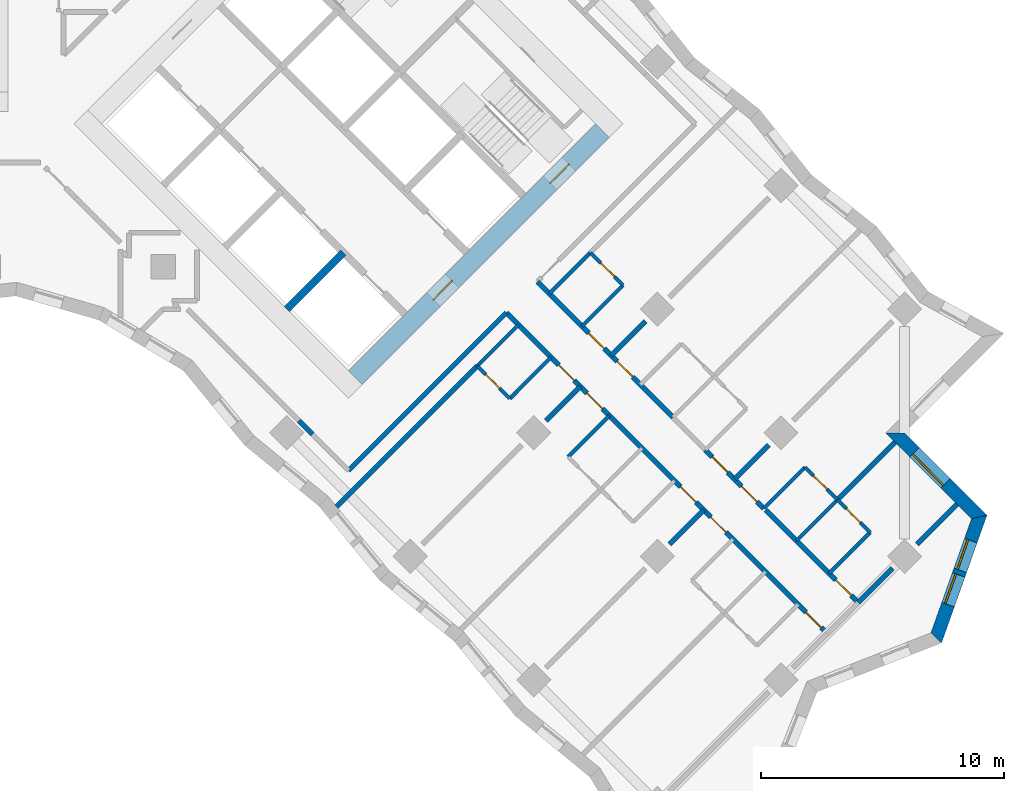
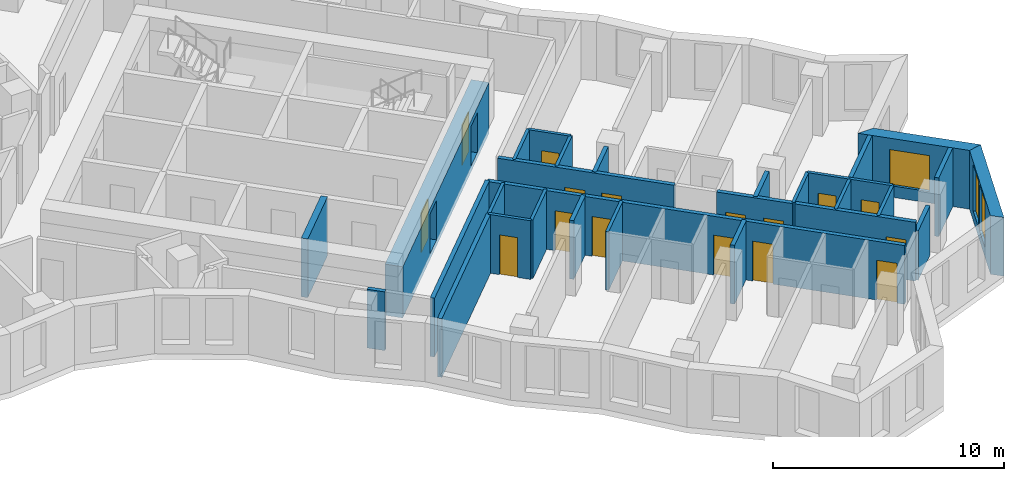
# One storey, part 9 of 13: 30 walls, 16 doors, 3 windows, 19 openings.
"""IFC4 building model written with IfcOpenShell, lengths in metres."""

from ifc_helpers import new_model, si_unit, direction, frame, frame_2d, origin, place, context, subcontext, project, spatial, polyline, rectangle, outline, extrude, material, layer, layer_set, type_object, element, fill, save


model = new_model("IFC4")

# Units and contexts
model_context = context("Model", 3, precision=1e-05, world=origin(), true_north=direction((0.0, 1.0)))
body_context = subcontext(model_context, "Body", "Model", "MODEL_VIEW")
ifc_project = project(units=[si_unit("LENGTHUNIT", "METRE"), si_unit("AREAUNIT", "SQUARE_METRE"), si_unit("VOLUMEUNIT", "CUBIC_METRE"), si_unit("PLANEANGLEUNIT", "RADIAN"), si_unit("MASSUNIT", "GRAM", prefix="KILO")], contexts=[model_context])

# Site, building, storey
site_placement = place(None, origin())
site = spatial("IfcSite", under=ifc_project, at=site_placement, CompositionType="ELEMENT")
building_placement = place(site_placement, origin())
building = spatial("IfcBuilding", under=site, at=building_placement, Name="Windrow Commons", CompositionType="ELEMENT")
storey_placement = place(building_placement, frame((0.0, 0.0, 91.4)))
storey = spatial("IfcBuildingStorey", under=building, at=storey_placement, Name="L24", CompositionType="ELEMENT", Elevation=91.4)

# Wall, openings, windows
ifc_material_1 = material(Name="Brick masonry, red clay brick", Category="masonry")
ifc_layer_1 = layer(ifc_material_1, 0.55)
ifc_layer_set_1 = layer_set([ifc_layer_1], Name="Brick facade wall 550")
wall_type_1 = type_object("IfcWallType", Name="Brick facade wall 550", PredefinedType="SOLIDWALL", material=ifc_layer_set_1)
wall_1_placement = place(storey_placement, frame((111.0517, 27.9115, 0.0), z_axis=(0.0, 0.0, 1.0), x_axis=(0.334975732, 0.9422267556, 0.0)))
wall_1 = element("IfcWall", 1, at=wall_1_placement, inside=storey, type_object=wall_type_1, Name="Brick facade wall L24 4", PredefinedType="SOLIDWALL", context=body_context, shape_type="SweptSolid", body=[
    extrude(outline(polyline([(-0.1253, -0.275), (5.464, -0.275), (5.1165, 0.275), (0.1253, 0.275), (-0.1253, -0.275)])), origin(), (0.0, 0.0, 1.0), 3.1),
])
opening_1_placement = place(wall_1_placement, frame((1.4533, 0.0, 0.5)))
opening_1 = element("IfcOpeningElement", 2, at=opening_1_placement, cuts=wall_1, Name="Opening W1P", PredefinedType="OPENING", context=body_context, shape_type="SweptSolid", body=[
    extrude(rectangle(XDim=1.3, YDim=2.45, at=frame_2d((0.65, 1.225))), frame((0.0, 0.285, 0.0), z_axis=(0.0, -1.0, 0.0), x_axis=(1.0, 0.0, 0.0)), (0.0, 0.0, 1.0), 0.57),
])
opening_2_placement = place(wall_1_placement, frame((2.9533, 0.0, 0.5)))
opening_2 = element("IfcOpeningElement", 3, at=opening_2_placement, cuts=wall_1, Name="Opening W1P", PredefinedType="OPENING", context=body_context, shape_type="SweptSolid", body=[
    extrude(rectangle(XDim=1.3, YDim=2.45, at=frame_2d((0.65, 1.225))), frame((0.0, 0.285, 0.0), z_axis=(0.0, -1.0, 0.0), x_axis=(1.0, 0.0, 0.0)), (0.0, 0.0, 1.0), 0.57),
])
ifc_material_2 = material(Name="Clear float glass in anodised aluminium frame", Category="aluminium")
window_type_1 = type_object("IfcWindowType", Name="Window W1P pair 1300x2450", PartitioningType="SINGLE_PANEL", PredefinedType="WINDOW", material=ifc_material_2)
window_1_placement = place(opening_1_placement, origin())
window_1 = element("IfcWindow", 4, at=window_1_placement, inside=storey, type_object=window_type_1, Name="Window L24 4.1A", OverallHeight=2.45, OverallWidth=1.3, PartitioningType="SINGLE_PANEL", PredefinedType="WINDOW", context=body_context, shape_type="SweptSolid", body=[
    extrude(rectangle(XDim=1.3, YDim=2.45, at=frame_2d((0.65, 1.225))), frame((0.0, 0.155, 0.0), z_axis=(0.0, -1.0, 0.0), x_axis=(1.0, 0.0, 0.0)), (0.0, 0.0, 1.0), 0.06),
])
fill(opening_1, window_1)
window_2_placement = place(opening_2_placement, origin())
window_2 = element("IfcWindow", 5, at=window_2_placement, inside=storey, type_object=window_type_1, Name="Window L24 4.1B", OverallHeight=2.45, OverallWidth=1.3, PartitioningType="SINGLE_PANEL", PredefinedType="WINDOW", context=body_context, shape_type="SweptSolid", body=[
    extrude(rectangle(XDim=1.3, YDim=2.45, at=frame_2d((0.65, 1.225))), frame((0.0, 0.155, 0.0), z_axis=(0.0, -1.0, 0.0), x_axis=(1.0, 0.0, 0.0)), (0.0, 0.0, 1.0), 0.06),
])
fill(opening_2, window_2)

# Wall, opening, window
wall_2_placement = place(storey_placement, frame((112.8238, 32.8961, 0.0), z_axis=(0.0, 0.0, 1.0), x_axis=(-0.7071067812, 0.7071067812, 0.0)))
wall_2 = element("IfcWall", 6, at=wall_2_placement, inside=storey, type_object=wall_type_1, Name="Brick facade wall L24 5", PredefinedType="SOLIDWALL", context=body_context, shape_type="SweptSolid", body=[
    extrude(outline(polyline([(-0.1737, -0.275), (4.6262, -0.275), (5.1762, 0.275), (0.1737, 0.275), (-0.1737, -0.275)])), origin(), (0.0, 0.0, 1.0), 3.1),
])
opening_3_placement = place(wall_2_placement, frame((1.9637, 0.0, 0.6)))
opening_3 = element("IfcOpeningElement", 7, at=opening_3_placement, cuts=wall_2, Name="Opening W1L", PredefinedType="OPENING", context=body_context, shape_type="SweptSolid", body=[
    extrude(rectangle(XDim=1.8, YDim=1.9, at=frame_2d((0.9, 0.95))), frame((0.0, 0.285, 0.0), z_axis=(0.0, -1.0, 0.0), x_axis=(1.0, 0.0, 0.0)), (0.0, 0.0, 1.0), 0.57),
])
ifc_material_3 = material(Name="Clear float glass in anodised aluminium frame", Category="aluminium")
window_type_2 = type_object("IfcWindowType", Name="Window W1L bedroom 1800x1900", PartitioningType="SINGLE_PANEL", PredefinedType="WINDOW", material=ifc_material_3)
window_3_placement = place(opening_3_placement, origin())
window_3 = element("IfcWindow", 8, at=window_3_placement, inside=storey, type_object=window_type_2, Name="Window L24 5.1", OverallHeight=1.9, OverallWidth=1.8, PartitioningType="SINGLE_PANEL", PredefinedType="WINDOW", context=body_context, shape_type="SweptSolid", body=[
    extrude(rectangle(XDim=1.8, YDim=1.9, at=frame_2d((0.9, 0.95))), frame((0.0, 0.155, 0.0), z_axis=(0.0, -1.0, 0.0), x_axis=(1.0, 0.0, 0.0)), (0.0, 0.0, 1.0), 0.06),
])
fill(opening_3, window_3)

# Wall, openings, doors
ifc_material_4 = material(Name="Blockwork partition", Category="masonry")
ifc_layer_2 = layer(ifc_material_4, 0.2)
ifc_layer_set_2 = layer_set([ifc_layer_2], Name="IW-CORRIDOR-200")
wall_type_2 = type_object("IfcWallType", Name="IW-CORRIDOR-200", PredefinedType="PARTITIONING", material=ifc_layer_set_2)
wall_3_placement = place(storey_placement, frame((93.3386, 41.3086, 0.0), z_axis=(0.0, 0.0, 1.0), x_axis=(0.7071067812, -0.7071067812, 0.0)))
wall_3 = element("IfcWall", 9, at=wall_3_placement, inside=storey, type_object=wall_type_2, Name="W-L24-W003", PredefinedType="PARTITIONING", context=body_context, shape_type="SweptSolid", body=[
    extrude(rectangle(XDim=18.7016, YDim=0.2, at=frame_2d((9.3508, 0.0))), origin(), (0.0, 0.0, 1.0), 3.1),
])
opening_4_placement = place(wall_3_placement, frame((3.0504, 0.0, 0.0)))
opening_4 = element("IfcOpeningElement", 10, at=opening_4_placement, cuts=wall_3, Name="Opening D109S", PredefinedType="OPENING", context=body_context, shape_type="SweptSolid", body=[
    extrude(rectangle(XDim=0.9, YDim=2.1, at=frame_2d((0.45, 1.05))), frame((0.0, 0.11, 0.0), z_axis=(0.0, -1.0, 0.0), x_axis=(1.0, 0.0, 0.0)), (0.0, 0.0, 1.0), 0.22),
])
opening_5_placement = place(wall_3_placement, frame((4.7004, 0.0, 0.0)))
opening_5 = element("IfcOpeningElement", 11, at=opening_5_placement, cuts=wall_3, Name="Opening D109S", PredefinedType="OPENING", context=body_context, shape_type="SweptSolid", body=[
    extrude(rectangle(XDim=0.9, YDim=2.1, at=frame_2d((0.45, 1.05))), frame((0.0, 0.11, 0.0), z_axis=(0.0, -1.0, 0.0), x_axis=(1.0, 0.0, 0.0)), (0.0, 0.0, 1.0), 0.22),
])
opening_6_placement = place(wall_3_placement, frame((10.1488, 0.0, 0.0)))
opening_6 = element("IfcOpeningElement", 12, at=opening_6_placement, cuts=wall_3, Name="Opening D109S", PredefinedType="OPENING", context=body_context, shape_type="SweptSolid", body=[
    extrude(rectangle(XDim=0.9, YDim=2.1, at=frame_2d((0.45, 1.05))), frame((0.0, 0.11, 0.0), z_axis=(0.0, -1.0, 0.0), x_axis=(1.0, 0.0, 0.0)), (0.0, 0.0, 1.0), 0.22),
])
opening_7_placement = place(wall_3_placement, frame((11.9004, 0.0, 0.0)))
opening_7 = element("IfcOpeningElement", 13, at=opening_7_placement, cuts=wall_3, Name="Opening D109S", PredefinedType="OPENING", context=body_context, shape_type="SweptSolid", body=[
    extrude(rectangle(XDim=0.9, YDim=2.1, at=frame_2d((0.45, 1.05))), frame((0.0, 0.11, 0.0), z_axis=(0.0, -1.0, 0.0), x_axis=(1.0, 0.0, 0.0)), (0.0, 0.0, 1.0), 0.22),
])
opening_8_placement = place(wall_3_placement, frame((17.4504, 0.0, 0.0)))
opening_8 = element("IfcOpeningElement", 14, at=opening_8_placement, cuts=wall_3, Name="Opening D109S", PredefinedType="OPENING", context=body_context, shape_type="SweptSolid", body=[
    extrude(rectangle(XDim=0.9, YDim=2.1, at=frame_2d((0.45, 1.05))), frame((0.0, 0.11, 0.0), z_axis=(0.0, -1.0, 0.0), x_axis=(1.0, 0.0, 0.0)), (0.0, 0.0, 1.0), 0.22),
])
ifc_material_5 = material(Name="Timber door leaf", Category="wood")
door_type_1 = type_object("IfcDoorType", Name="DT-BEDROOM-900", OperationType="SINGLE_SWING_LEFT", PredefinedType="DOOR", material=ifc_material_5)
door_1_placement = place(opening_4_placement, origin())
door_1 = element("IfcDoor", 15, at=door_1_placement, inside=storey, type_object=door_type_1, Name="D-L24-D057", OperationType="SINGLE_SWING_LEFT", OverallHeight=2.1, OverallWidth=0.9, PredefinedType="DOOR", context=body_context, shape_type="SweptSolid", body=[
    extrude(rectangle(XDim=0.9, YDim=2.1, at=frame_2d((0.45, 1.05))), frame((0.0, 0.025, 0.0), z_axis=(0.0, -1.0, 0.0), x_axis=(1.0, 0.0, 0.0)), (0.0, 0.0, 1.0), 0.05),
])
fill(opening_4, door_1)
door_2_placement = place(opening_5_placement, origin())
door_2 = element("IfcDoor", 16, at=door_2_placement, inside=storey, type_object=door_type_1, Name="D-L24-D059", OperationType="SINGLE_SWING_RIGHT", OverallHeight=2.1, OverallWidth=0.9, PredefinedType="DOOR", context=body_context, shape_type="SweptSolid", body=[
    extrude(rectangle(XDim=0.9, YDim=2.1, at=frame_2d((0.45, 1.05))), frame((0.0, 0.025, 0.0), z_axis=(0.0, -1.0, 0.0), x_axis=(1.0, 0.0, 0.0)), (0.0, 0.0, 1.0), 0.05),
])
fill(opening_5, door_2)
door_3_placement = place(opening_6_placement, origin())
door_3 = element("IfcDoor", 17, at=door_3_placement, inside=storey, type_object=door_type_1, Name="D-L24-D061", OperationType="SINGLE_SWING_LEFT", OverallHeight=2.1, OverallWidth=0.9, PredefinedType="DOOR", context=body_context, shape_type="SweptSolid", body=[
    extrude(rectangle(XDim=0.9, YDim=2.1, at=frame_2d((0.45, 1.05))), frame((0.0, 0.025, 0.0), z_axis=(0.0, -1.0, 0.0), x_axis=(1.0, 0.0, 0.0)), (0.0, 0.0, 1.0), 0.05),
])
fill(opening_6, door_3)
door_4_placement = place(opening_7_placement, origin())
door_4 = element("IfcDoor", 18, at=door_4_placement, inside=storey, type_object=door_type_1, Name="D-L24-D063", OperationType="SINGLE_SWING_RIGHT", OverallHeight=2.1, OverallWidth=0.9, PredefinedType="DOOR", context=body_context, shape_type="SweptSolid", body=[
    extrude(rectangle(XDim=0.9, YDim=2.1, at=frame_2d((0.45, 1.05))), frame((0.0, 0.025, 0.0), z_axis=(0.0, -1.0, 0.0), x_axis=(1.0, 0.0, 0.0)), (0.0, 0.0, 1.0), 0.05),
])
fill(opening_7, door_4)
door_5_placement = place(opening_8_placement, origin())
door_5 = element("IfcDoor", 19, at=door_5_placement, inside=storey, type_object=door_type_1, Name="D-L24-D065", OperationType="SINGLE_SWING_LEFT", OverallHeight=2.1, OverallWidth=0.9, PredefinedType="DOOR", context=body_context, shape_type="SweptSolid", body=[
    extrude(rectangle(XDim=0.9, YDim=2.1, at=frame_2d((0.45, 1.05))), frame((0.0, 0.025, 0.0), z_axis=(0.0, -1.0, 0.0), x_axis=(1.0, 0.0, 0.0)), (0.0, 0.0, 1.0), 0.05),
])
fill(opening_8, door_5)

# Wall
wall_4_placement = place(storey_placement, frame((86.8355, 34.8065, 0.0), z_axis=(0.0, 0.0, 1.0), x_axis=(0.7071067812, 0.7071067812, 0.0)))
element("IfcWall", 20, at=wall_4_placement, inside=storey, type_object=wall_type_2, Name="W-L24-W007", PredefinedType="PARTITIONING", context=body_context, shape_type="SweptSolid", body=[
    extrude(rectangle(XDim=9.2009, YDim=0.2, at=frame_2d((4.6005, 0.0))), origin(), (0.0, 0.0, 1.0), 3.1),
])

# Wall, openings, doors
wall_5_placement = place(storey_placement, frame((94.6195, 42.5875, 0.0), z_axis=(0.0, 0.0, 1.0), x_axis=(0.7071067812, -0.7071067812, 0.0)))
wall_5 = element("IfcWall", 21, at=wall_5_placement, inside=storey, type_object=wall_type_2, Name="W-L24-W018", PredefinedType="PARTITIONING", context=body_context, shape_type="SweptSolid", body=[
    extrude(rectangle(XDim=7.8998, YDim=0.2, at=frame_2d((3.9499, 0.0))), origin(), (0.0, 0.0, 1.0), 3.1),
])
opening_9_placement = place(wall_5_placement, frame((2.9976, 0.0, 0.0)))
opening_9 = element("IfcOpeningElement", 22, at=opening_9_placement, cuts=wall_5, Name="Opening D109S", PredefinedType="OPENING", context=body_context, shape_type="SweptSolid", body=[
    extrude(rectangle(XDim=0.9, YDim=2.1, at=frame_2d((0.45, 1.05))), frame((0.0, 0.11, 0.0), z_axis=(0.0, -1.0, 0.0), x_axis=(1.0, 0.0, 0.0)), (0.0, 0.0, 1.0), 0.22),
])
opening_10_placement = place(wall_5_placement, frame((4.649, 0.0, 0.0)))
opening_10 = element("IfcOpeningElement", 23, at=opening_10_placement, cuts=wall_5, Name="Opening D109S", PredefinedType="OPENING", context=body_context, shape_type="SweptSolid", body=[
    extrude(rectangle(XDim=0.9, YDim=2.1, at=frame_2d((0.45, 1.05))), frame((0.0, 0.11, 0.0), z_axis=(0.0, -1.0, 0.0), x_axis=(1.0, 0.0, 0.0)), (0.0, 0.0, 1.0), 0.22),
])
door_6_placement = place(opening_9_placement, origin())
door_6 = element("IfcDoor", 24, at=door_6_placement, inside=storey, type_object=door_type_1, Name="D-L24-D048", OperationType="SINGLE_SWING_RIGHT", OverallHeight=2.1, OverallWidth=0.9, PredefinedType="DOOR", context=body_context, shape_type="SweptSolid", body=[
    extrude(rectangle(XDim=0.9, YDim=2.1, at=frame_2d((0.45, 1.05))), frame((0.0, 0.025, 0.0), z_axis=(0.0, -1.0, 0.0), x_axis=(1.0, 0.0, 0.0)), (0.0, 0.0, 1.0), 0.05),
])
fill(opening_9, door_6)
door_7_placement = place(opening_10_placement, origin())
door_7 = element("IfcDoor", 25, at=door_7_placement, inside=storey, type_object=door_type_1, Name="D-L24-D050", OperationType="SINGLE_SWING_LEFT", OverallHeight=2.1, OverallWidth=0.9, PredefinedType="DOOR", context=body_context, shape_type="SweptSolid", body=[
    extrude(rectangle(XDim=0.9, YDim=2.1, at=frame_2d((0.45, 1.05))), frame((0.0, 0.025, 0.0), z_axis=(0.0, -1.0, 0.0), x_axis=(1.0, 0.0, 0.0)), (0.0, 0.0, 1.0), 0.05),
])
fill(opening_10, door_7)

# Wall, opening, door
wall_6_placement = place(storey_placement, frame((104.0235, 33.1835, 0.0), z_axis=(0.0, 0.0, 1.0), x_axis=(0.7071067812, -0.7071067812, 0.0)))
wall_6 = element("IfcWall", 26, at=wall_6_placement, inside=storey, type_object=wall_type_2, Name="W-L24-W041", PredefinedType="PARTITIONING", context=body_context, shape_type="SweptSolid", body=[
    extrude(rectangle(XDim=5.3995, YDim=0.2, at=frame_2d((2.6997, 0.0))), origin(), (0.0, 0.0, 1.0), 3.1),
])
opening_11_placement = place(wall_6_placement, frame((4.0797, 0.0, 0.0)))
opening_11 = element("IfcOpeningElement", 27, at=opening_11_placement, cuts=wall_6, Name="Opening D109S", PredefinedType="OPENING", context=body_context, shape_type="SweptSolid", body=[
    extrude(rectangle(XDim=0.9, YDim=2.1, at=frame_2d((0.45, 1.05))), frame((0.0, 0.11, 0.0), z_axis=(0.0, -1.0, 0.0), x_axis=(1.0, 0.0, 0.0)), (0.0, 0.0, 1.0), 0.22),
])
door_8_placement = place(opening_11_placement, origin())
door_8 = element("IfcDoor", 28, at=door_8_placement, inside=storey, type_object=door_type_1, Name="D-L24-D067", OperationType="SINGLE_SWING_RIGHT", OverallHeight=2.1, OverallWidth=0.9, PredefinedType="DOOR", context=body_context, shape_type="SweptSolid", body=[
    extrude(rectangle(XDim=0.9, YDim=2.1, at=frame_2d((0.45, 1.05))), frame((0.0, 0.025, 0.0), z_axis=(0.0, -1.0, 0.0), x_axis=(1.0, 0.0, 0.0)), (0.0, 0.0, 1.0), 0.05),
])
fill(opening_11, door_8)

# Wall, openings, doors
wall_7_placement = place(storey_placement, frame((101.5414, 35.6514, 0.0), z_axis=(0.0, 0.0, 1.0), x_axis=(0.7071067812, -0.7071067812, 0.0)))
wall_7 = element("IfcWall", 29, at=wall_7_placement, inside=storey, type_object=wall_type_2, Name="W-L24-W059", PredefinedType="PARTITIONING", context=body_context, shape_type="SweptSolid", body=[
    extrude(rectangle(XDim=3.3998, YDim=0.2, at=frame_2d((1.6999, 0.0))), origin(), (0.0, 0.0, 1.0), 3.1),
])
opening_12_placement = place(wall_7_placement, frame((0.3999, 0.0, 0.0)))
opening_12 = element("IfcOpeningElement", 30, at=opening_12_placement, cuts=wall_7, Name="Opening D109S", PredefinedType="OPENING", context=body_context, shape_type="SweptSolid", body=[
    extrude(rectangle(XDim=0.9, YDim=2.1, at=frame_2d((0.45, 1.05))), frame((0.0, 0.11, 0.0), z_axis=(0.0, -1.0, 0.0), x_axis=(1.0, 0.0, 0.0)), (0.0, 0.0, 1.0), 0.22),
])
opening_13_placement = place(wall_7_placement, frame((2.1049, 0.0, 0.0)))
opening_13 = element("IfcOpeningElement", 31, at=opening_13_placement, cuts=wall_7, Name="Opening D109S", PredefinedType="OPENING", context=body_context, shape_type="SweptSolid", body=[
    extrude(rectangle(XDim=0.9, YDim=2.1, at=frame_2d((0.45, 1.05))), frame((0.0, 0.11, 0.0), z_axis=(0.0, -1.0, 0.0), x_axis=(1.0, 0.0, 0.0)), (0.0, 0.0, 1.0), 0.22),
])
door_9_placement = place(opening_12_placement, origin())
door_9 = element("IfcDoor", 32, at=door_9_placement, inside=storey, type_object=door_type_1, Name="D-L24-D052", OperationType="SINGLE_SWING_RIGHT", OverallHeight=2.1, OverallWidth=0.9, PredefinedType="DOOR", context=body_context, shape_type="SweptSolid", body=[
    extrude(rectangle(XDim=0.9, YDim=2.1, at=frame_2d((0.45, 1.05))), frame((0.0, 0.025, 0.0), z_axis=(0.0, -1.0, 0.0), x_axis=(1.0, 0.0, 0.0)), (0.0, 0.0, 1.0), 0.05),
])
fill(opening_12, door_9)
door_10_placement = place(opening_13_placement, origin())
door_10 = element("IfcDoor", 33, at=door_10_placement, inside=storey, type_object=door_type_1, Name="D-L24-D054", OperationType="SINGLE_SWING_LEFT", OverallHeight=2.1, OverallWidth=0.9, PredefinedType="DOOR", context=body_context, shape_type="SweptSolid", body=[
    extrude(rectangle(XDim=0.9, YDim=2.1, at=frame_2d((0.45, 1.05))), frame((0.0, 0.025, 0.0), z_axis=(0.0, -1.0, 0.0), x_axis=(1.0, 0.0, 0.0)), (0.0, 0.0, 1.0), 0.05),
])
fill(opening_13, door_10)

# Walls
wall_8_placement = place(storey_placement, frame((84.7953, 36.8553, 0.0), z_axis=(0.0, 0.0, 1.0), x_axis=(0.7071067812, -0.7071067812, 0.0)))
element("IfcWall", 34, at=wall_8_placement, inside=storey, type_object=wall_type_2, Name="W-L24-W185", PredefinedType="PARTITIONING", context=body_context, shape_type="SweptSolid", body=[
    extrude(rectangle(XDim=0.792, YDim=0.2, at=frame_2d((0.396, 0.0))), origin(), (0.0, 0.0, 1.0), 3.1),
])
ifc_material_6 = material(Name="Blockwork partition", Category="masonry")
ifc_layer_3 = layer(ifc_material_6, 0.15)
ifc_layer_set_3 = layer_set([ifc_layer_3], Name="IW-ENSUITE-150")
wall_type_3 = type_object("IfcWallType", Name="IW-ENSUITE-150", PredefinedType="PARTITIONING", material=ifc_layer_set_3)
for number, where, z_axis, x_axis, name in (
    (35, (92.1428, 39.1172, 0.0), (0.0, 0.0, 1.0), (0.7075233388, 0.706689978, 0.0), "W-L24-W099"),
    (36, (93.4867, 37.7733, 0.0), (0.0, 0.0, 1.0), (0.706689978, 0.7075233388, 0.0), "W-L24-W100"),
    (37, (105.2898, 31.9102, 0.0), (0.0, 0.0, 1.0), (0.7075233388, 0.706689978, 0.0), "W-L24-W103"),
):
    element("IfcWall", number, at=place(storey_placement, frame(where, z_axis=z_axis, x_axis=x_axis)), inside=storey, type_object=wall_type_3, Name=name, PredefinedType="PARTITIONING", context=body_context, shape_type="SweptSolid", body=[
        extrude(rectangle(XDim=2.3999, YDim=0.15, at=frame_2d((1.2, 0.0))), origin(), (0.0, 0.0, 1.0), 3.1),
    ])
for number, where, z_axis, x_axis, name in (
    (38, (96.4529, 40.7471, 0.0), (0.0, 0.0, 1.0), (0.7071067812, 0.7071067812, 0.0), "W-L24-W104"),
    (39, (95.1094, 42.0906, 0.0), (0.0, 0.0, 1.0), (0.7071067812, 0.7071067812, 0.0), "W-L24-W105"),
    (40, (95.8871, 35.3729, 0.0), (0.0, 0.0, 1.0), (0.7071067812, 0.7071067812, 0.0), "W-L24-W106"),
    (41, (106.6353, 30.5647, 0.0), (0.0, 0.0, 1.0), (0.7071067812, 0.7071067812, 0.0), "W-L24-W111"),
    (42, (103.9493, 33.2527, 0.0), (0.0, 0.0, 1.0), (0.7071067812, 0.7071067812, 0.0), "W-L24-W112"),
):
    element("IfcWall", number, at=place(storey_placement, frame(where, z_axis=z_axis, x_axis=x_axis)), inside=storey, type_object=wall_type_3, Name=name, PredefinedType="PARTITIONING", context=body_context, shape_type="SweptSolid", body=[
        extrude(rectangle(XDim=2.3985, YDim=0.15, at=frame_2d((1.1992, 0.0))), origin(), (0.0, 0.0, 1.0), 3.1),
    ])

# Wall, opening, door
wall_9_placement = place(storey_placement, frame((96.8035, 43.7835, 0.0), z_axis=(0.0, 0.0, 1.0), x_axis=(0.7071067812, -0.7071067812, 0.0)))
wall_9 = element("IfcWall", 43, at=wall_9_placement, inside=storey, type_object=wall_type_3, Name="W-L24-W131", PredefinedType="PARTITIONING", context=body_context, shape_type="SweptSolid", body=[
    extrude(rectangle(XDim=1.9007, YDim=0.15, at=frame_2d((0.9504, 0.0))), origin(), (0.0, 0.0, 1.0), 3.1),
])
opening_14_placement = place(wall_9_placement, frame((0.6091, 0.0, 0.0)))
opening_14 = element("IfcOpeningElement", 44, at=opening_14_placement, cuts=wall_9, Name="Opening D208N", PredefinedType="OPENING", context=body_context, shape_type="SweptSolid", body=[
    extrude(rectangle(XDim=0.8, YDim=2.1, at=frame_2d((0.4, 1.05))), frame((0.0, 0.085, 0.0), z_axis=(0.0, -1.0, 0.0), x_axis=(1.0, 0.0, 0.0)), (0.0, 0.0, 1.0), 0.17),
])
ifc_material_7 = material(Name="Timber door leaf", Category="wood")
door_type_2 = type_object("IfcDoorType", Name="DT-ENSUITE-800", OperationType="SINGLE_SWING_LEFT", PredefinedType="DOOR", material=ifc_material_7)
door_11_placement = place(opening_14_placement, origin())
door_11 = element("IfcDoor", 45, at=door_11_placement, inside=storey, type_object=door_type_2, Name="D-L24-D049", OperationType="SINGLE_SWING_RIGHT", OverallHeight=2.1, OverallWidth=0.8, PredefinedType="DOOR", context=body_context, shape_type="SweptSolid", body=[
    extrude(rectangle(XDim=0.8, YDim=2.1, at=frame_2d((0.4, 1.05))), frame((0.0, 0.025, 0.0), z_axis=(0.0, -1.0, 0.0), x_axis=(1.0, 0.0, 0.0)), (0.0, 0.0, 1.0), 0.05),
])
fill(opening_14, door_11)

wall_10_placement = place(storey_placement, frame((105.6425, 34.9445, 0.0), z_axis=(0.0, 0.0, 1.0), x_axis=(0.7071067812, -0.7071067812, 0.0)))
wall_10 = element("IfcWall", 46, at=wall_10_placement, inside=storey, type_object=wall_type_3, Name="W-L24-W133", PredefinedType="PARTITIONING", context=body_context, shape_type="SweptSolid", body=[
    extrude(rectangle(XDim=1.9007, YDim=0.15, at=frame_2d((0.9504, 0.0))), origin(), (0.0, 0.0, 1.0), 3.1),
])
opening_15_placement = place(wall_10_placement, frame((0.4914, 0.0, 0.0)))
opening_15 = element("IfcOpeningElement", 47, at=opening_15_placement, cuts=wall_10, Name="Opening D208N", PredefinedType="OPENING", context=body_context, shape_type="SweptSolid", body=[
    extrude(rectangle(XDim=0.8, YDim=2.1, at=frame_2d((0.4, 1.05))), frame((0.0, 0.085, 0.0), z_axis=(0.0, -1.0, 0.0), x_axis=(1.0, 0.0, 0.0)), (0.0, 0.0, 1.0), 0.17),
])
door_12_placement = place(opening_15_placement, origin())
door_12 = element("IfcDoor", 48, at=door_12_placement, inside=storey, type_object=door_type_2, Name="D-L24-D055", OperationType="SINGLE_SWING_RIGHT", OverallHeight=2.1, OverallWidth=0.8, PredefinedType="DOOR", context=body_context, shape_type="SweptSolid", body=[
    extrude(rectangle(XDim=0.8, YDim=2.1, at=frame_2d((0.4, 1.05))), frame((0.0, 0.025, 0.0), z_axis=(0.0, -1.0, 0.0), x_axis=(1.0, 0.0, 0.0)), (0.0, 0.0, 1.0), 0.05),
])
fill(opening_15, door_12)

wall_11_placement = place(storey_placement, frame((92.1366, 39.1166, 0.0), z_axis=(0.0, 0.0, 1.0), x_axis=(0.7071067812, -0.7071067812, 0.0)))
wall_11 = element("IfcWall", 49, at=wall_11_placement, inside=storey, type_object=wall_type_3, Name="W-L24-W135", PredefinedType="PARTITIONING", context=body_context, shape_type="SweptSolid", body=[
    extrude(rectangle(XDim=1.9007, YDim=0.15, at=frame_2d((0.9504, 0.0))), origin(), (0.0, 0.0, 1.0), 3.1),
])
opening_16_placement = place(wall_11_placement, frame((0.5024, 0.0, 0.0)))
opening_16 = element("IfcOpeningElement", 50, at=opening_16_placement, cuts=wall_11, Name="Opening D208N", PredefinedType="OPENING", context=body_context, shape_type="SweptSolid", body=[
    extrude(rectangle(XDim=0.8, YDim=2.1, at=frame_2d((0.4, 1.05))), frame((0.0, 0.085, 0.0), z_axis=(0.0, -1.0, 0.0), x_axis=(1.0, 0.0, 0.0)), (0.0, 0.0, 1.0), 0.17),
])
door_13_placement = place(opening_16_placement, origin())
door_13 = element("IfcDoor", 51, at=door_13_placement, inside=storey, type_object=door_type_2, Name="D-L24-D058", OperationType="SINGLE_SWING_RIGHT", OverallHeight=2.1, OverallWidth=0.8, PredefinedType="DOOR", context=body_context, shape_type="SweptSolid", body=[
    extrude(rectangle(XDim=0.8, YDim=2.1, at=frame_2d((0.4, 1.05))), frame((0.0, 0.025, 0.0), z_axis=(0.0, -1.0, 0.0), x_axis=(1.0, 0.0, 0.0)), (0.0, 0.0, 1.0), 0.05),
])
fill(opening_16, door_13)

wall_12_placement = place(storey_placement, frame((106.9875, 33.6015, 0.0), z_axis=(0.0, 0.0, 1.0), x_axis=(0.7065800724, -0.7076330979, 0.0)))
wall_12 = element("IfcWall", 52, at=wall_12_placement, inside=storey, type_object=wall_type_3, Name="W-L24-W149", PredefinedType="PARTITIONING", context=body_context, shape_type="SweptSolid", body=[
    extrude(rectangle(XDim=1.8993, YDim=0.15, at=frame_2d((0.9496, 0.0))), origin(), (0.0, 0.0, 1.0), 3.1),
])
opening_17_placement = place(wall_12_placement, frame((0.5187, 0.0, 0.0)))
opening_17 = element("IfcOpeningElement", 53, at=opening_17_placement, cuts=wall_12, Name="Opening D208N", PredefinedType="OPENING", context=body_context, shape_type="SweptSolid", body=[
    extrude(rectangle(XDim=0.8, YDim=2.1, at=frame_2d((0.4, 1.05))), frame((0.0, 0.085, 0.0), z_axis=(0.0, -1.0, 0.0), x_axis=(1.0, 0.0, 0.0)), (0.0, 0.0, 1.0), 0.17),
])
door_14_placement = place(opening_17_placement, origin())
door_14 = element("IfcDoor", 54, at=door_14_placement, inside=storey, type_object=door_type_2, Name="D-L24-D068", OperationType="SINGLE_SWING_RIGHT", OverallHeight=2.1, OverallWidth=0.8, PredefinedType="DOOR", context=body_context, shape_type="SweptSolid", body=[
    extrude(rectangle(XDim=0.8, YDim=2.1, at=frame_2d((0.4, 1.05))), frame((0.0, 0.025, 0.0), z_axis=(0.0, -1.0, 0.0), x_axis=(1.0, 0.0, 0.0)), (0.0, 0.0, 1.0), 0.05),
])
fill(opening_17, door_14)

# Walls
ifc_material_8 = material(Name="Blockwork partition", Category="masonry")
ifc_layer_4 = layer(ifc_material_8, 0.2)
ifc_layer_set_4 = layer_set([ifc_layer_4], Name="IW-PARTY-200")
wall_type_4 = type_object("IfcWallType", Name="IW-PARTY-200", PredefinedType="PARTITIONING", material=ifc_layer_set_4)
wall_13_placement = place(storey_placement, frame((86.3447, 33.3185, 0.0), z_axis=(0.0, 0.0, 1.0), x_axis=(0.7069848221, 0.7072287193, 0.0)))
element("IfcWall", 55, at=wall_13_placement, inside=storey, type_object=wall_type_4, Name="W-L24-W015", PredefinedType="PARTITIONING", context=body_context, shape_type="SweptSolid", body=[
    extrude(rectangle(XDim=8.2002, YDim=0.2, at=frame_2d((4.1001, 0.0))), origin(), (0.0, 0.0, 1.0), 3.1),
])
wall_14_placement = place(storey_placement, frame((106.9888, 33.6052, 0.0), z_axis=(0.0, 0.0, 1.0), x_axis=(0.7071067812, 0.7071067812, 0.0)))
element("IfcWall", 56, at=wall_14_placement, inside=storey, type_object=wall_type_4, Name="W-L24-W060", PredefinedType="PARTITIONING", context=body_context, shape_type="SweptSolid", body=[
    extrude(rectangle(XDim=3.3496, YDim=0.2, at=frame_2d((1.6748, 0.0))), origin(), (0.0, 0.0, 1.0), 3.1),
])
wall_15_placement = place(storey_placement, frame((110.2515, 31.7666, 0.0), z_axis=(0.0, 0.0, 1.0), x_axis=(0.7066584143, 0.7075548639, 0.0)))
element("IfcWall", 57, at=wall_15_placement, inside=storey, type_object=wall_type_4, Name="W-L24-W115", PredefinedType="PARTITIONING", context=body_context, shape_type="SweptSolid", body=[
    extrude(rectangle(XDim=2.3426, YDim=0.2, at=frame_2d((1.1713, 0.0))), origin(), (0.0, 0.0, 1.0), 3.1),
])
wall_16_placement = place(storey_placement, frame((100.0632, 31.7708, 0.0), z_axis=(0.0, 0.0, 1.0), x_axis=(0.7071067812, 0.7071067812, 0.0)))
element("IfcWall", 58, at=wall_16_placement, inside=storey, type_object=wall_type_4, Name="W-L24-W124", PredefinedType="PARTITIONING", context=body_context, shape_type="SweptSolid", body=[
    extrude(rectangle(XDim=1.994, YDim=0.2, at=frame_2d((0.997, 0.0))), origin(), (0.0, 0.0, 1.0), 3.1),
])
wall_17_placement = place(storey_placement, frame((107.8374, 29.3626, 0.0), z_axis=(0.0, 0.0, 1.0), x_axis=(0.7071067812, 0.7071067812, 0.0)))
element("IfcWall", 59, at=wall_17_placement, inside=storey, type_object=wall_type_4, Name="W-L24-W125", PredefinedType="PARTITIONING", context=body_context, shape_type="SweptSolid", body=[
    extrude(rectangle(XDim=1.994, YDim=0.2, at=frame_2d((0.997, 0.0))), origin(), (0.0, 0.0, 1.0), 2.6),
])
for number, where, z_axis, x_axis, name in (
    (60, (97.655, 39.545, 0.0), (0.0, 0.0, 1.0), (0.7071067812, 0.7071067812, 0.0), "W-L24-W126"),
    (61, (94.972, 36.862, 0.0), (0.0, 0.0, 1.0), (0.7071067812, 0.7071067812, 0.0), "W-L24-W128"),
):
    element("IfcWall", number, at=place(storey_placement, frame(where, z_axis=z_axis, x_axis=x_axis)), inside=storey, type_object=wall_type_4, Name=name, PredefinedType="PARTITIONING", context=body_context, shape_type="SweptSolid", body=[
        extrude(rectangle(XDim=1.994, YDim=0.2, at=frame_2d((0.997, 0.0))), origin(), (0.0, 0.0, 1.0), 3.1),
    ])
wall_18_placement = place(storey_placement, frame((102.7472, 34.4548, 0.0), z_axis=(0.0, 0.0, 1.0), x_axis=(0.7071067812, 0.7071067812, 0.0)))
element("IfcWall", 62, at=wall_18_placement, inside=storey, type_object=wall_type_4, Name="W-L24-W129", PredefinedType="PARTITIONING", context=body_context, shape_type="SweptSolid", body=[
    extrude(rectangle(XDim=1.9912, YDim=0.2, at=frame_2d((0.9956, 0.0))), origin(), (0.0, 0.0, 1.0), 3.1),
])

# Wall, openings, doors
ifc_material_9 = material(Name="Concrete C50/60", Category="concrete")
ifc_layer_5 = layer(ifc_material_9, 0.8)
ifc_layer_set_5 = layer_set([ifc_layer_5], Name="RC CORE WALL 800 C50/60")
wall_type_5 = type_object("IfcWallType", Name="RC CORE WALL 800 C50/60", PredefinedType="SHEAR", material=ifc_layer_set_5)
wall_19_placement = place(storey_placement, frame((87.1196, 38.6246, -0.3), z_axis=(0.0, 0.0, 1.0), x_axis=(0.7071067812, 0.7071067812, 0.0)))
wall_19 = element("IfcWall", 63, at=wall_19_placement, inside=storey, type_object=wall_type_5, Name="Core B wall outer-E", PredefinedType="SHEAR", context=body_context, shape_type="SweptSolid", body=[
    extrude(rectangle(XDim=14.3999, YDim=0.8, at=frame_2d((7.2, 0.0))), origin(), (0.0, 0.0, 1.0), 2.7),
])
opening_18_placement = place(wall_19_placement, frame((4.55, 0.0, 0.3)))
opening_18 = element("IfcOpeningElement", 64, at=opening_18_placement, cuts=wall_19, Name="Opening D6", PredefinedType="OPENING", context=body_context, shape_type="SweptSolid", body=[
    extrude(rectangle(XDim=1.1, YDim=2.1, at=frame_2d((0.55, 1.05))), frame((0.0, 0.41, 0.0), z_axis=(0.0, -1.0, 0.0), x_axis=(1.0, 0.0, 0.0)), (0.0, 0.0, 1.0), 0.82),
])
opening_19_placement = place(wall_19_placement, frame((11.35, 0.0, 0.3)))
opening_19 = element("IfcOpeningElement", 65, at=opening_19_placement, cuts=wall_19, Name="Opening D7", PredefinedType="OPENING", context=body_context, shape_type="SweptSolid", body=[
    extrude(rectangle(XDim=1.1, YDim=2.1, at=frame_2d((0.55, 1.05))), frame((0.0, 0.41, 0.0), z_axis=(0.0, -1.0, 0.0), x_axis=(1.0, 0.0, 0.0)), (0.0, 0.0, 1.0), 0.82),
])
ifc_material_10 = material(Name="Steel fire door leaf", Category="steel")
door_type_3 = type_object("IfcDoorType", Name="Core lobby door 1100", OperationType="SINGLE_SWING_LEFT", PredefinedType="DOOR", material=ifc_material_10)
door_15_placement = place(opening_18_placement, origin())
door_15 = element("IfcDoor", 66, at=door_15_placement, inside=storey, type_object=door_type_3, Name="Lift lobby door", OperationType="DOUBLE_DOOR_SINGLE_SWING", OverallHeight=2.1, OverallWidth=1.1, PredefinedType="DOOR", context=body_context, shape_type="SweptSolid", body=[
    extrude(rectangle(XDim=1.1, YDim=2.1, at=frame_2d((0.55, 1.05))), frame((0.0, 0.025, 0.0), z_axis=(0.0, -1.0, 0.0), x_axis=(1.0, 0.0, 0.0)), (0.0, 0.0, 1.0), 0.05),
])
fill(opening_18, door_15)
ifc_material_11 = material(Name="Steel fire door leaf", Category="steel")
door_type_4 = type_object("IfcDoorType", Name="Stair door 1100", OperationType="SINGLE_SWING_LEFT", PredefinedType="DOOR", material=ifc_material_11)
door_16_placement = place(opening_19_placement, origin())
door_16 = element("IfcDoor", 67, at=door_16_placement, inside=storey, type_object=door_type_4, Name="Stair door", OperationType="SINGLE_SWING_RIGHT", OverallHeight=2.1, OverallWidth=1.1, PredefinedType="DOOR", context=body_context, shape_type="SweptSolid", body=[
    extrude(rectangle(XDim=1.1, YDim=2.1, at=frame_2d((0.55, 1.05))), frame((0.0, 0.025, 0.0), z_axis=(0.0, -1.0, 0.0), x_axis=(1.0, 0.0, 0.0)), (0.0, 0.0, 1.0), 0.05),
])
fill(opening_19, door_16)

# Wall
ifc_material_12 = material(Name="Concrete C50/60", Category="concrete")
ifc_layer_6 = layer(ifc_material_12, 0.3)
ifc_layer_set_6 = layer_set([ifc_layer_6], Name="RC SHAFT WALL 300 C50/60")
wall_type_6 = type_object("IfcWallType", Name="RC SHAFT WALL 300 C50/60", PredefinedType="SOLIDWALL", material=ifc_layer_set_6)
wall_20_placement = place(storey_placement, frame((84.2912, 41.453, 0.0), z_axis=(0.0, 0.0, 1.0), x_axis=(0.7071067812, 0.7071067812, 0.0)))
element("IfcWall", 68, at=wall_20_placement, inside=storey, type_object=wall_type_6, Name="Core B wall shaft-S3", PredefinedType="SOLIDWALL", context=body_context, shape_type="SweptSolid", body=[
    extrude(rectangle(XDim=3.2999, YDim=0.3, at=frame_2d((1.65, 0.0))), origin(), (0.0, 0.0, 1.0), 3.1),
])

save(model, "model.ifc")
